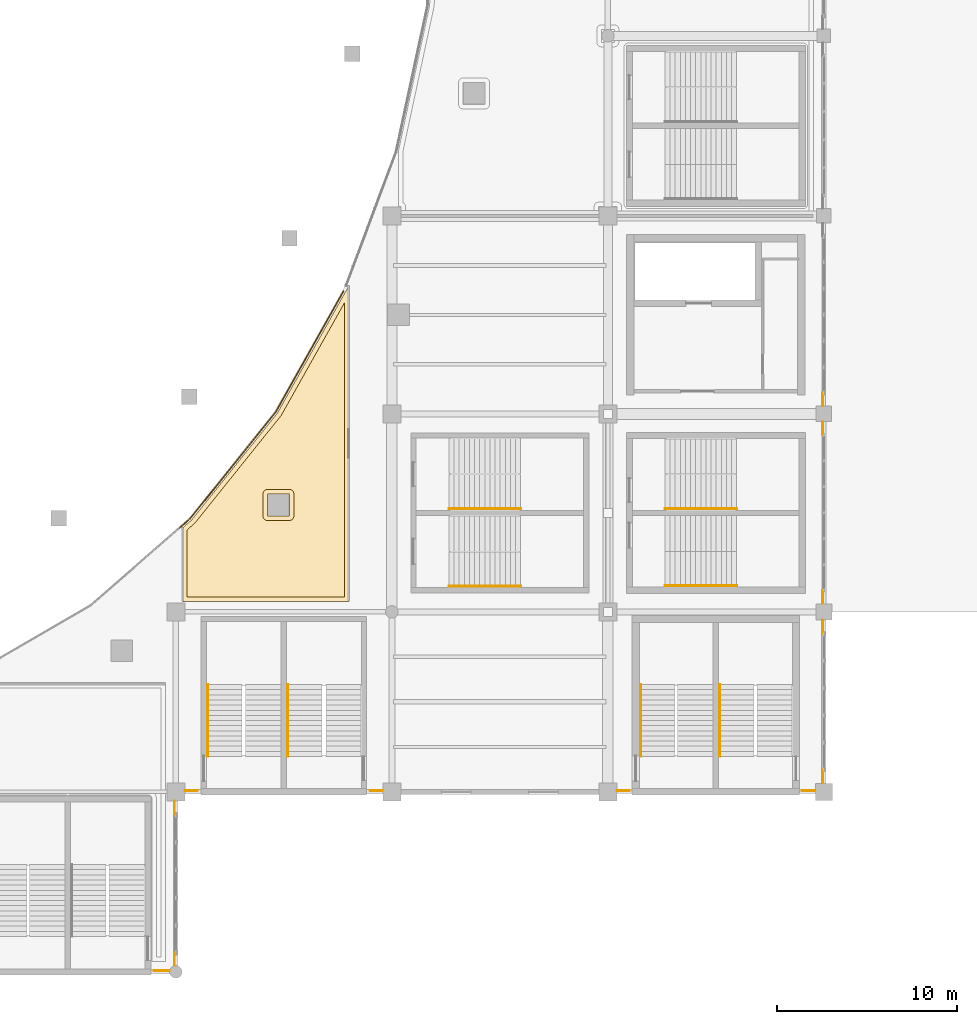
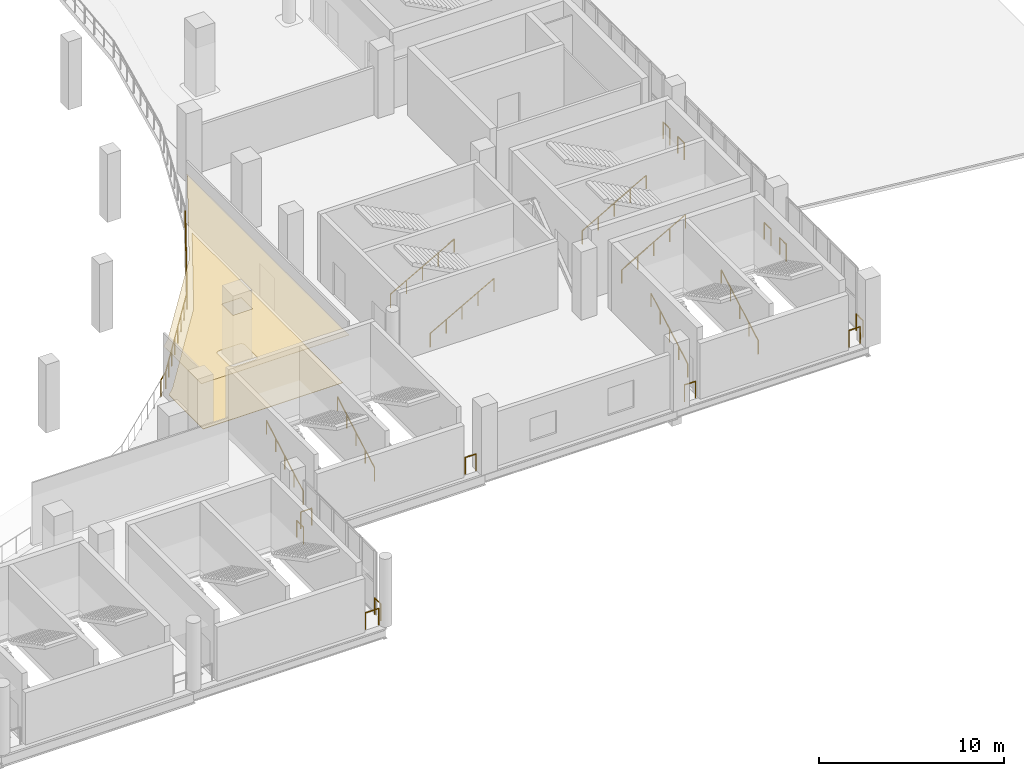
# One storey, part 105 of 108: 22 railings, 2 coverings.
"""IFC4 building model written with IfcOpenShell, lengths in metres."""

from ifc_helpers import new_model, si_unit, direction, frame, origin, origin_2d, place, context, subcontext, project, spatial, polyline, circle, outline, extrude, material, layer, layer_set, type_object, element, save


model = new_model("IFC4")

# Units and contexts
model_context = context("Model", 3, precision=1e-05, world=origin(), true_north=direction((0.0, 1.0)))
body_context = subcontext(model_context, "Body", "Model", "MODEL_VIEW")
ifc_project = project(units=[si_unit("LENGTHUNIT", "METRE"), si_unit("AREAUNIT", "SQUARE_METRE"), si_unit("VOLUMEUNIT", "CUBIC_METRE"), si_unit("PLANEANGLEUNIT", "RADIAN"), si_unit("MASSUNIT", "GRAM", prefix="KILO")], contexts=[model_context])

# Site, building, storey
site_placement = place(None, origin())
site = spatial("IfcSite", under=ifc_project, at=site_placement, CompositionType="ELEMENT")
building_placement = place(site_placement, origin())
building = spatial("IfcBuilding", under=site, at=building_placement, Name="Brinegate Civic Arena", CompositionType="ELEMENT")
storey_placement = place(building_placement, frame((0.0, 0.0, 10.199951171875)))
storey = spatial("IfcBuildingStorey", under=building, at=storey_placement, Name="L02", CompositionType="ELEMENT", Elevation=10.199951171875)

# Coverings
ifc_material_1 = material(Name="Acoustic perforated aluminium ceiling", Category="aluminium")
ifc_layer_1 = layer(ifc_material_1, 0.02490234375, Name="Acoustic perforated aluminium ceiling")
ifc_layer_set_1 = layer_set([ifc_layer_1], Name="Acoustic perforated aluminium ceiling")
covering_type_1 = type_object("IfcCoveringType", Name="CEILING-ACOUSTIC-25", PredefinedType="CEILING", material=ifc_layer_set_1)
covering_1_placement = place(storey_placement, frame((0.0, 0.0, 3.22509765625)))
element("IfcCovering", 1, at=covering_1_placement, inside=storey, type_object=covering_type_1, Name="Acoustic Ceiling L02-011", PredefinedType="CEILING", context=body_context, shape_type="SweptSolid", body=[
    extrude(outline(polyline([(132.39599609375, 20.580078125), (132.39404296875, 20.5810546875), (132.39208984375, 20.58203125), (132.39111328125, 20.58203125), (132.388916015625, 20.5830078125), (132.386962890625, 20.5849609375), (132.385986328125, 20.5859375), (132.385009765625, 20.5869140625), (132.383056640625, 20.589111328125), (132.382080078125, 20.591064453125), (132.382080078125, 20.592041015625), (132.381103515625, 20.593994140625), (132.3798828125, 20.595947265625), (132.3798828125, 20.597900390625), (132.3798828125, 20.60009765625), (132.3798828125, 24.662109375), (132.3798828125, 24.6640625), (132.3798828125, 24.666015625), (132.381103515625, 24.66796875), (132.381103515625, 24.6689453125), (132.382080078125, 24.6708984375), (132.383056640625, 24.673095703125), (132.384033203125, 24.674072265625), (132.385009765625, 24.676025390625), (132.386962890625, 24.677001953125), (132.864990234375, 25.093017578125), (132.887939453125, 25.117919921875), (137.64208984375, 31.044921875), (141.498046875, 37.910888671875), (141.510986328125, 37.93798828125), (141.5810546875, 38.1259765625), (141.58203125, 38.1279296875), (141.5830078125, 38.1298828125), (141.583984375, 38.131103515625), (141.5849609375, 38.133056640625), (141.5869140625, 38.134033203125), (141.587890625, 38.135009765625), (141.590087890625, 38.135986328125), (141.592041015625, 38.136962890625), (141.593994140625, 38.137939453125), (141.595947265625, 38.138916015625), (141.597900390625, 38.138916015625), (141.60009765625, 38.138916015625), (141.60205078125, 38.138916015625), (141.60400390625, 38.138916015625), (141.60595703125, 38.137939453125), (141.60693359375, 38.137939453125), (141.60888671875, 38.136962890625), (141.611083984375, 38.135986328125), (141.613037109375, 38.135009765625), (141.614013671875, 38.133056640625), (141.614990234375, 38.132080078125), (141.616943359375, 38.1298828125), (141.617919921875, 38.12890625), (141.617919921875, 38.126953125), (141.618896484375, 38.125), (141.6201171875, 38.123046875), (141.6201171875, 38.12109375), (141.6201171875, 38.118896484375), (141.6201171875, 20.60009765625), (141.6201171875, 20.597900390625), (141.6201171875, 20.595947265625), (141.618896484375, 20.593994140625), (141.617919921875, 20.592041015625), (141.617919921875, 20.591064453125), (141.616943359375, 20.589111328125), (141.614990234375, 20.5869140625), (141.614013671875, 20.5859375), (141.613037109375, 20.5849609375), (141.611083984375, 20.5830078125), (141.60888671875, 20.58203125), (141.60791015625, 20.58203125), (141.60595703125, 20.5810546875), (141.60400390625, 20.580078125), (141.60205078125, 20.580078125), (141.60009765625, 20.580078125), (132.39990234375, 20.580078125), (132.39794921875, 20.580078125), (132.39599609375, 20.580078125)]), holes=[polyline([(138.30810546875, 26.548095703125), (137.087890625, 26.548095703125), (137.087890625, 25.327880859375), (138.30810546875, 25.327880859375), (138.30810546875, 26.548095703125)])]), origin(), (0.0, 0.0, 1.0), 0.02490234375),
])
ifc_material_2 = material(Name="Polished coral terrazzo flooring")
ifc_layer_2 = layer(ifc_material_2, 0.028076171875, Name="Polished coral terrazzo flooring")
ifc_layer_set_2 = layer_set([ifc_layer_2], Name="Polished coral terrazzo flooring")
covering_type_2 = type_object("IfcCoveringType", Name="FLOORING-TERRAZZO-28", PredefinedType="FLOORING", material=ifc_layer_set_2)
covering_2_placement = place(storey_placement, origin())
element("IfcCovering", 2, at=covering_2_placement, inside=storey, type_object=covering_type_2, Name="Flooring L02-011", PredefinedType="FLOORING", context=body_context, shape_type="SweptSolid", body=[
    extrude(outline(polyline([(132.6298828125, 20.830078125), (132.6298828125, 24.556884765625), (133.029052734375, 24.905029296875), (133.049072265625, 24.924072265625), (133.072021484375, 24.947998046875), (133.0830078125, 24.9619140625), (137.8369140625, 30.888916015625), (137.85009765625, 30.905029296875), (137.860107421875, 30.923095703125), (141.3701171875, 37.172119140625), (141.3701171875, 20.830078125), (132.6298828125, 20.830078125)]), holes=[polyline([(138.55810546875, 26.548095703125), (138.556884765625, 26.572998046875), (138.552978515625, 26.596923828125), (138.547119140625, 26.62109375), (138.5390625, 26.64404296875), (138.528076171875, 26.666015625), (138.51611328125, 26.68701171875), (138.5009765625, 26.70703125), (138.485107421875, 26.72509765625), (138.467041015625, 26.740966796875), (138.447021484375, 26.756103515625), (138.426025390625, 26.76806640625), (138.404052734375, 26.779052734375), (138.381103515625, 26.787109375), (138.35693359375, 26.79296875), (138.3330078125, 26.797119140625), (138.30810546875, 26.798095703125), (137.087890625, 26.798095703125), (137.06298828125, 26.797119140625), (137.0390625, 26.79296875), (137.014892578125, 26.787109375), (136.991943359375, 26.779052734375), (136.969970703125, 26.76806640625), (136.948974609375, 26.756103515625), (136.928955078125, 26.740966796875), (136.910888671875, 26.72509765625), (136.89501953125, 26.70703125), (136.8798828125, 26.68701171875), (136.867919921875, 26.666015625), (136.85693359375, 26.64404296875), (136.84912109375, 26.62109375), (136.843017578125, 26.596923828125), (136.839111328125, 26.572998046875), (136.837890625, 26.548095703125), (136.837890625, 25.327880859375), (136.839111328125, 25.302978515625), (136.843017578125, 25.279052734375), (136.84912109375, 25.2548828125), (136.85693359375, 25.23193359375), (136.867919921875, 25.2099609375), (136.8798828125, 25.18896484375), (136.89501953125, 25.1689453125), (136.910888671875, 25.15087890625), (136.928955078125, 25.135009765625), (136.948974609375, 25.1201171875), (136.969970703125, 25.10791015625), (136.991943359375, 25.096923828125), (137.014892578125, 25.089111328125), (137.0390625, 25.0830078125), (137.06298828125, 25.0791015625), (137.087890625, 25.077880859375), (138.30810546875, 25.077880859375), (138.3330078125, 25.0791015625), (138.35693359375, 25.0830078125), (138.381103515625, 25.089111328125), (138.404052734375, 25.096923828125), (138.426025390625, 25.10791015625), (138.447021484375, 25.1201171875), (138.467041015625, 25.135009765625), (138.485107421875, 25.15087890625), (138.5009765625, 25.1689453125), (138.51611328125, 25.18896484375), (138.528076171875, 25.2099609375), (138.5390625, 25.23193359375), (138.547119140625, 25.2548828125), (138.552978515625, 25.279052734375), (138.556884765625, 25.302978515625), (138.55810546875, 25.327880859375), (138.55810546875, 26.548095703125)])]), origin(), (0.0, 0.0, 1.0), 0.028076171875),
])

# Railings
ifc_material_3 = material(Name="Architectural stainless steel balustrade", Category="steel")
railing_type_1 = type_object("IfcRailingType", Name="RAIL-STAIR-HANDRAIL-900", PredefinedType="HANDRAIL", material=ifc_material_3)
for number, where, name in (
    (3, (157.824951171875, 11.969970703125, 0.0), "Stair Pitch Handrail ST-06A L02"),
    (4, (162.22509765625, 11.969970703125, 0.0), "Stair Pitch Handrail ST-06B L02"),
    (5, (133.77490234375, 11.969970703125, 0.0), "Stair Pitch Handrail ST-14A L02"),
    (6, (138.22509765625, 11.969970703125, 0.0), "Stair Pitch Handrail ST-14B L02"),
):
    element("IfcRailing", number, at=place(storey_placement, frame(where)), inside=storey, type_object=railing_type_1, Name=name, PredefinedType="HANDRAIL", context=body_context, shape_type="SweptSolid", body=[
        extrude(circle(Radius=0.02392578125, at=origin_2d()), frame((0.0, 0.001220703125, 0.876708984375), z_axis=(0.0, 0.871049806155, 0.491194701923), x_axis=(-1.0, 0.0, 0.0)), (0.0, 0.0, 1.0), 4.57763671875),
        extrude(circle(Radius=0.02099609375, at=origin_2d()), origin(), (0.0, 0.0, 1.0), 0.849853515625),
        extrude(circle(Radius=0.02099609375, at=origin_2d()), frame((0.0, 0.99755859375, 0.5625)), (0.0, 0.0, 1.0), 0.849853515625),
        extrude(circle(Radius=0.02099609375, at=origin_2d()), frame((0.0, 1.9951171875, 1.125)), (0.0, 0.0, 1.0), 0.849853515625),
        extrude(circle(Radius=0.02099609375, at=origin_2d()), frame((0.0, 2.992431640625, 1.6875)), (0.0, 0.0, 1.0), 0.849853515625),
        extrude(circle(Radius=0.02099609375, at=origin_2d()), frame((0.0, 3.989990234375, 2.25)), (0.0, 0.0, 1.0), 0.849853515625),
    ])
for number, where, name in (
    (7, (147.169921875, 21.425048828125, 0.0), "Stair Pitch Handrail ST-17A L02"),
    (8, (147.169921875, 25.72509765625, 0.0), "Stair Pitch Handrail ST-17B L02"),
    (9, (159.169921875, 21.455078125, 0.0), "Stair Pitch Handrail ST-19A L02"),
    (10, (159.169921875, 25.72509765625, 0.0), "Stair Pitch Handrail ST-19B L02"),
):
    element("IfcRailing", number, at=place(storey_placement, frame(where)), inside=storey, type_object=railing_type_1, Name=name, PredefinedType="HANDRAIL", context=body_context, shape_type="SweptSolid", body=[
        extrude(circle(Radius=0.02392578125, at=origin_2d()), frame((0.001220703125, 0.0, 0.876708984375), z_axis=(0.871049806155, 0.0, 0.491194701923), x_axis=(0.0, 1.0, 0.0)), (0.0, 0.0, 1.0), 4.57763671875),
        extrude(circle(Radius=0.02099609375, at=origin_2d()), origin(), (0.0, 0.0, 1.0), 0.849853515625),
        extrude(circle(Radius=0.02099609375, at=origin_2d()), frame((0.99755859375, 0.0, 0.5625)), (0.0, 0.0, 1.0), 0.849853515625),
        extrude(circle(Radius=0.02099609375, at=origin_2d()), frame((1.9951171875, 0.0, 1.125)), (0.0, 0.0, 1.0), 0.849853515625),
        extrude(circle(Radius=0.02099609375, at=origin_2d()), frame((2.992431640625, 0.0, 1.6875)), (0.0, 0.0, 1.0), 0.849853515625),
        extrude(circle(Radius=0.02099609375, at=origin_2d()), frame((3.989990234375, 0.0, 2.25)), (0.0, 0.0, 1.0), 0.849853515625),
    ])
railing_type_2 = type_object("IfcRailingType", Name="RAIL-VOID-BALUSTRADE-1120", PredefinedType="BALUSTRADE", material=ifc_material_3)
for number, where, name in (
    (11, (167.929931640625, 32.15087890625, 0.0), "Deck Edge Balustrade L02-172"),
    (12, (167.929931640625, 30.554931640625, 0.0), "Deck Edge Balustrade L02-173"),
):
    element("IfcRailing", number, at=place(storey_placement, frame(where)), inside=storey, type_object=railing_type_2, Name=name, PredefinedType="BALUSTRADE", context=body_context, shape_type="SweptSolid", body=[
        extrude(circle(Radius=0.02392578125, at=origin_2d()), frame((0.0, -0.00146484375, 1.09619140625), z_axis=(0.0, -1.0, 0.0), x_axis=(1.0, 0.0, 0.0)), (0.0, 0.0, 1.0), 0.702880859375),
        extrude(circle(Radius=0.02099609375, at=origin_2d()), origin(), (0.0, 0.0, 1.0), 1.070068359375),
        extrude(circle(Radius=0.02099609375, at=origin_2d()), frame((0.0, -0.705810546875, 0.0)), (0.0, 0.0, 1.0), 1.070068359375),
    ])
for number, where, name in (
    (13, (167.929931640625, 21.18603515625, 0.0), "Deck Edge Balustrade L02-174"),
    (14, (167.929931640625, 19.530029296875, 0.0), "Deck Edge Balustrade L02-175"),
):
    element("IfcRailing", number, at=place(storey_placement, frame(where)), inside=storey, type_object=railing_type_2, Name=name, PredefinedType="BALUSTRADE", context=body_context, shape_type="SweptSolid", body=[
        extrude(circle(Radius=0.02392578125, at=origin_2d()), frame((0.0, -0.00146484375, 1.09619140625), z_axis=(0.0, -1.0, 0.0), x_axis=(1.0, 0.0, 0.0)), (0.0, 0.0, 1.0), 0.713134765625),
        extrude(circle(Radius=0.02099609375, at=origin_2d()), origin(), (0.0, 0.0, 1.0), 1.070068359375),
        extrude(circle(Radius=0.02099609375, at=origin_2d()), frame((0.0, -0.716064453125, 0.0)), (0.0, 0.0, 1.0), 1.070068359375),
    ])
railing_1_placement = place(storey_placement, frame((167.929931640625, 11.221923828125, 0.0)))
element("IfcRailing", 15, at=railing_1_placement, inside=storey, type_object=railing_type_2, Name="Deck Edge Balustrade L02-176", PredefinedType="BALUSTRADE", context=body_context, shape_type="SweptSolid", body=[
    extrude(circle(Radius=0.02392578125, at=origin_2d()), frame((0.0, -0.00146484375, 1.09619140625), z_axis=(0.0, -1.0, 0.0), x_axis=(1.0, 0.0, 0.0)), (0.0, 0.0, 1.0), 0.723876953125),
    extrude(circle(Radius=0.02099609375, at=origin_2d()), origin(), (0.0, 0.0, 1.0), 1.070068359375),
    extrude(circle(Radius=0.02099609375, at=origin_2d()), frame((0.0, -0.726806640625, 0.0)), (0.0, 0.0, 1.0), 1.070068359375),
])
railing_2_placement = place(storey_placement, frame((167.5048828125, 10.070068359375, 0.0)))
element("IfcRailing", 16, at=railing_2_placement, inside=storey, type_object=railing_type_2, Name="Deck Edge Balustrade L02-177", PredefinedType="BALUSTRADE", context=body_context, shape_type="SweptSolid", body=[
    extrude(circle(Radius=0.02392578125, at=origin_2d()), frame((-0.00146484375, 0.0, 1.09619140625), z_axis=(-1.0, 0.0, 0.0), x_axis=(0.0, -1.0, 0.0)), (0.0, 0.0, 1.0), 0.701904296875),
    extrude(circle(Radius=0.02099609375, at=origin_2d()), origin(), (0.0, 0.0, 1.0), 1.070068359375),
    extrude(circle(Radius=0.02099609375, at=origin_2d()), frame((-0.704833984375, 0.0, 0.0)), (0.0, 0.0, 1.0), 1.070068359375),
])
for number, where, name in (
    (17, (157.199951171875, 10.070068359375, 0.0), "Deck Edge Balustrade L02-178"),
    (18, (143.47998046875, 10.070068359375, 0.0), "Deck Edge Balustrade L02-179"),
    (19, (133.199951171875, 10.070068359375, 0.0), "Deck Edge Balustrade L02-180"),
):
    element("IfcRailing", number, at=place(storey_placement, frame(where)), inside=storey, type_object=railing_type_2, Name=name, PredefinedType="BALUSTRADE", context=body_context, shape_type="SweptSolid", body=[
        extrude(circle(Radius=0.02392578125, at=origin_2d()), frame((-0.00146484375, 0.0, 1.09619140625), z_axis=(-1.0, 0.0, 0.0), x_axis=(0.0, -1.0, 0.0)), (0.0, 0.0, 1.0), 0.677001953125),
        extrude(circle(Radius=0.02099609375, at=origin_2d()), origin(), (0.0, 0.0, 1.0), 1.070068359375),
        extrude(circle(Radius=0.02099609375, at=origin_2d()), frame((-0.679931640625, 0.0, 0.0)), (0.0, 0.0, 1.0), 1.070068359375),
    ])
railing_3_placement = place(storey_placement, frame((131.929931640625, 9.47998046875, 0.0)))
element("IfcRailing", 20, at=railing_3_placement, inside=storey, type_object=railing_type_2, Name="Deck Edge Balustrade L02-181", PredefinedType="BALUSTRADE", context=body_context, shape_type="SweptSolid", body=[
    extrude(circle(Radius=0.02392578125, at=origin_2d()), frame((0.0, -0.00146484375, 1.09619140625), z_axis=(0.0, -1.0, 0.0), x_axis=(1.0, 0.0, 0.0)), (0.0, 0.0, 1.0), 0.734130859375),
    extrude(circle(Radius=0.02099609375, at=origin_2d()), origin(), (0.0, 0.0, 1.0), 1.070068359375),
    extrude(circle(Radius=0.02099609375, at=origin_2d()), frame((0.0, -0.737060546875, 0.0)), (0.0, 0.0, 1.0), 1.070068359375),
])
railing_4_placement = place(storey_placement, frame((131.929931640625, 1.044921875, 0.0)))
element("IfcRailing", 21, at=railing_4_placement, inside=storey, type_object=railing_type_2, Name="Deck Edge Balustrade L02-182", PredefinedType="BALUSTRADE", context=body_context, shape_type="SweptSolid", body=[
    extrude(circle(Radius=0.02392578125, at=origin_2d()), frame((0.0, -0.00146484375, 1.09619140625), z_axis=(0.0, -1.0, 0.0), x_axis=(1.0, 0.0, 0.0)), (0.0, 0.0, 1.0), 0.671875),
    extrude(circle(Radius=0.02099609375, at=origin_2d()), origin(), (0.0, 0.0, 1.0), 1.070068359375),
    extrude(circle(Radius=0.02099609375, at=origin_2d()), frame((0.0, -0.6748046875, 0.0)), (0.0, 0.0, 1.0), 1.070068359375),
])
railing_5_placement = place(storey_placement, frame((131.6298828125, 0.070068359375, 0.0)))
element("IfcRailing", 22, at=railing_5_placement, inside=storey, type_object=railing_type_2, Name="Deck Edge Balustrade L02-183", PredefinedType="BALUSTRADE", context=body_context, shape_type="SweptSolid", body=[
    extrude(circle(Radius=0.02392578125, at=origin_2d()), frame((-0.00146484375, 0.0, 1.09619140625), z_axis=(-1.0, 0.0, 0.0), x_axis=(0.0, -1.0, 0.0)), (0.0, 0.0, 1.0), 0.826904296875),
    extrude(circle(Radius=0.02099609375, at=origin_2d()), origin(), (0.0, 0.0, 1.0), 1.070068359375),
    extrude(circle(Radius=0.02099609375, at=origin_2d()), frame((-0.829833984375, 0.0, 0.0)), (0.0, 0.0, 1.0), 1.070068359375),
])
railing_6_placement = place(storey_placement, frame((137.548095703125, 31.10205078125, 0.0)))
element("IfcRailing", 23, at=railing_6_placement, inside=storey, type_object=railing_type_2, Name="Deck Edge Balustrade L02-204", PredefinedType="BALUSTRADE", context=body_context, shape_type="SweptSolid", body=[
    extrude(circle(Radius=0.02392578125, at=origin_2d()), frame((0.000732421875, 0.001220703125, 1.09619140625), z_axis=(0.489687801987, 0.871897847563, 0.0), x_axis=(-0.871897847563, 0.489687801987, 0.0)), (0.0, 0.0, 1.0), 7.69970703125),
    extrude(circle(Radius=0.02099609375, at=origin_2d()), origin(), (0.0, 0.0, 1.0), 1.070068359375),
    extrude(circle(Radius=0.02099609375, at=origin_2d()), frame((0.538818359375, 0.95947265625, 0.0)), (0.0, 0.0, 1.0), 1.070068359375),
    extrude(circle(Radius=0.02099609375, at=origin_2d()), frame((1.07763671875, 1.9189453125, 0.0)), (0.0, 0.0, 1.0), 1.070068359375),
    extrude(circle(Radius=0.02099609375, at=origin_2d()), frame((1.616455078125, 2.87841796875, 0.0)), (0.0, 0.0, 1.0), 1.070068359375),
    extrude(circle(Radius=0.02099609375, at=origin_2d()), frame((2.155517578125, 3.837646484375, 0.0)), (0.0, 0.0, 1.0), 1.070068359375),
    extrude(circle(Radius=0.02099609375, at=origin_2d()), frame((2.6943359375, 4.797119140625, 0.0)), (0.0, 0.0, 1.0), 1.070068359375),
    extrude(circle(Radius=0.02099609375, at=origin_2d()), frame((3.233154296875, 5.756591796875, 0.0)), (0.0, 0.0, 1.0), 1.070068359375),
    extrude(circle(Radius=0.02099609375, at=origin_2d()), frame((3.77197265625, 6.716064453125, 0.0)), (0.0, 0.0, 1.0), 1.070068359375),
])
railing_7_placement = place(storey_placement, frame((132.202880859375, 24.662109375, 0.0)))
element("IfcRailing", 24, at=railing_7_placement, inside=storey, type_object=railing_type_2, Name="Deck Edge Balustrade L02-211", PredefinedType="BALUSTRADE", context=body_context, shape_type="SweptSolid", body=[
    extrude(circle(Radius=0.02392578125, at=origin_2d()), frame((0.001220703125, 0.0009765625, 1.09619140625), z_axis=(0.753483621904, 0.657466677119, 0.0), x_axis=(-0.657466677119, 0.753483621904, 0.0)), (0.0, 0.0, 1.0), 0.780029296875),
    extrude(circle(Radius=0.02392578125, at=origin_2d()), frame((0.591064453125, 0.51611328125, 1.09619140625), z_axis=(0.625905260183, 0.779899099419, 0.0), x_axis=(-0.779899099419, 0.625905260183, 0.0)), (0.0, 0.0, 1.0), 7.59423828125),
    extrude(circle(Radius=0.02099609375, at=origin_2d()), origin(), (0.0, 0.0, 1.0), 1.070068359375),
    extrude(circle(Radius=0.02099609375, at=origin_2d()), frame((0.590087890625, 0.514892578125, 0.0)), (0.0, 0.0, 1.0), 1.070068359375),
    extrude(circle(Radius=0.02099609375, at=origin_2d()), frame((1.269287109375, 1.361328125, 0.0)), (0.0, 0.0, 1.0), 1.070068359375),
    extrude(circle(Radius=0.02099609375, at=origin_2d()), frame((1.94873046875, 2.207763671875, 0.0)), (0.0, 0.0, 1.0), 1.070068359375),
    extrude(circle(Radius=0.02099609375, at=origin_2d()), frame((2.6279296875, 3.05419921875, 0.0)), (0.0, 0.0, 1.0), 1.070068359375),
    extrude(circle(Radius=0.02099609375, at=origin_2d()), frame((3.307373046875, 3.900634765625, 0.0)), (0.0, 0.0, 1.0), 1.070068359375),
    extrude(circle(Radius=0.02099609375, at=origin_2d()), frame((3.986572265625, 4.7470703125, 0.0)), (0.0, 0.0, 1.0), 1.070068359375),
    extrude(circle(Radius=0.02099609375, at=origin_2d()), frame((4.666015625, 5.593505859375, 0.0)), (0.0, 0.0, 1.0), 1.070068359375),
    extrude(circle(Radius=0.02099609375, at=origin_2d()), frame((5.34521484375, 6.43994140625, 0.0)), (0.0, 0.0, 1.0), 1.070068359375),
])

save(model, "model.ifc")
